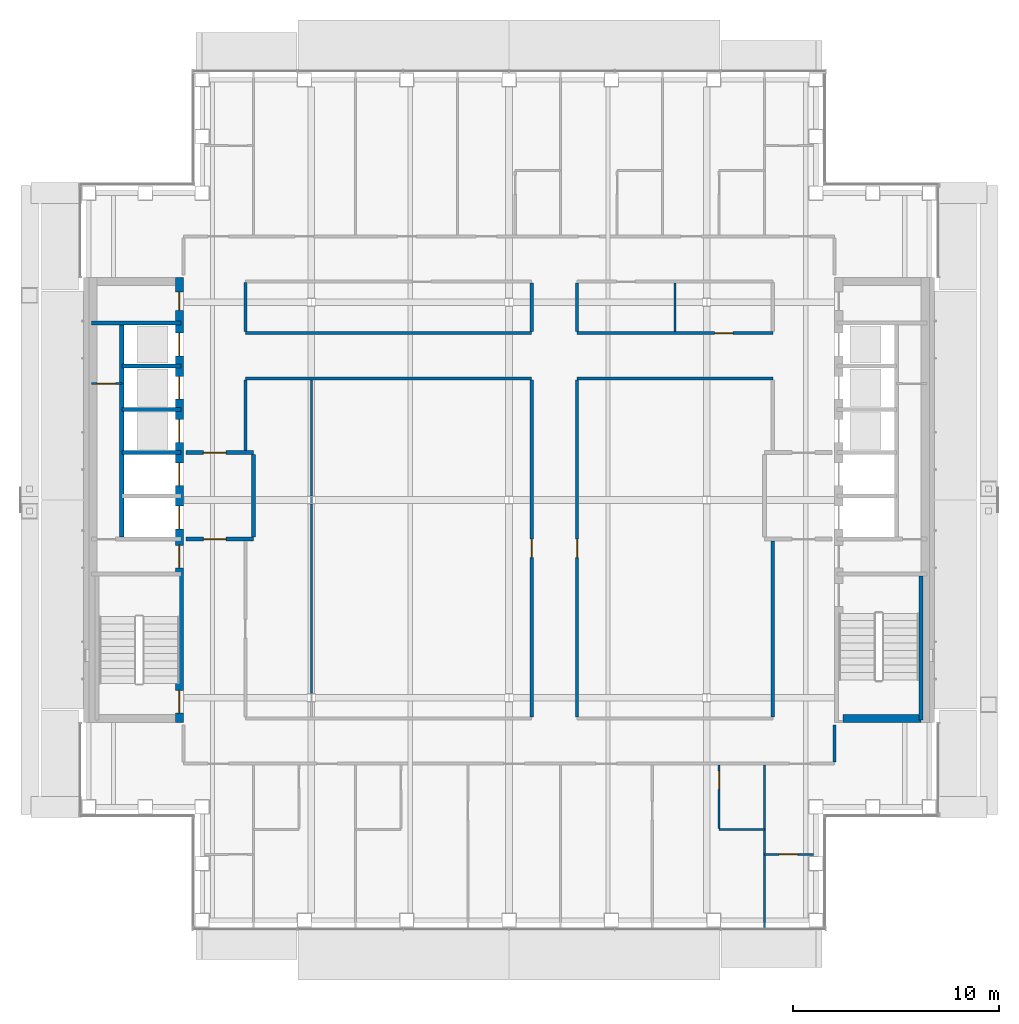
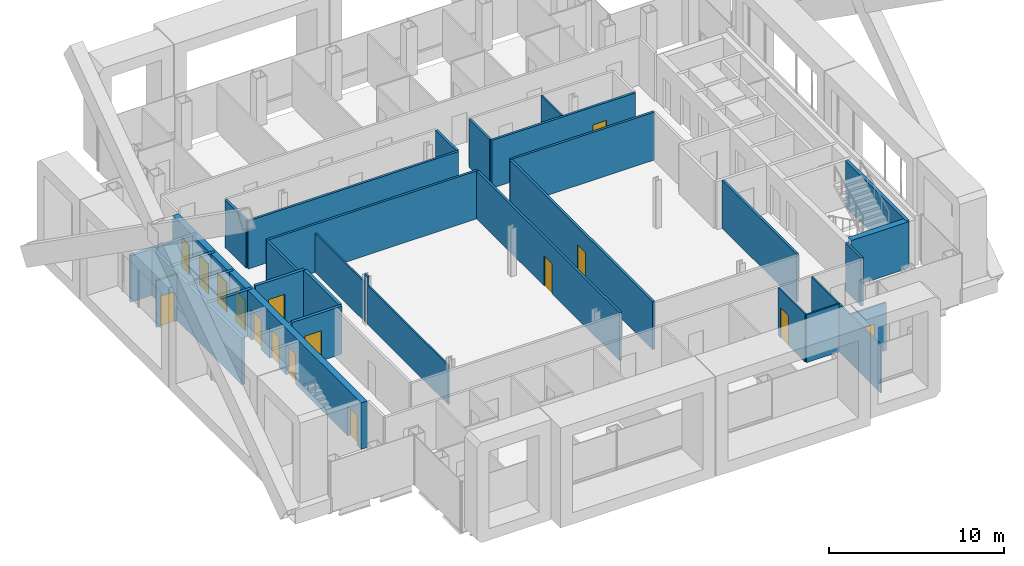
# One storey, part 12 of 21: 32 walls, 16 doors, 16 openings.
"""IFC4 building model written with IfcOpenShell, lengths in metres."""

from ifc_helpers import new_model, si_unit, direction, frame, frame_2d, origin, place, context, subcontext, project, spatial, rectangle, extrude, material, layer, layer_set, type_object, element, fill, save


model = new_model("IFC4")

# Units and contexts
model_context = context("Model", 3, precision=1e-05, world=origin(), true_north=direction((0.0, 1.0)))
body_context = subcontext(model_context, "Body", "Model", "MODEL_VIEW")
ifc_project = project(units=[si_unit("LENGTHUNIT", "METRE"), si_unit("AREAUNIT", "SQUARE_METRE"), si_unit("VOLUMEUNIT", "CUBIC_METRE"), si_unit("PLANEANGLEUNIT", "RADIAN"), si_unit("MASSUNIT", "GRAM", prefix="KILO")], contexts=[model_context])

# Site, building, storey
site_placement = place(None, origin())
site = spatial("IfcSite", under=ifc_project, at=site_placement, CompositionType="ELEMENT")
building_placement = place(site_placement, origin())
building = spatial("IfcBuilding", under=site, at=building_placement, Name="Cobrizo Arcos Hotel Tower", CompositionType="ELEMENT")
storey_placement = place(building_placement, frame((0.0, 0.0, 212.0)))
storey = spatial("IfcBuildingStorey", under=building, at=storey_placement, Name="L55", CompositionType="ELEMENT", Elevation=212.0)

# Walls
ifc_material_1 = material(Name="Gypsum board partition")
ifc_layer_1 = layer(ifc_material_1, 0.14990234375)
ifc_layer_set_1 = layer_set([ifc_layer_1], Name="Corridor wall EI 60 150")
wall_type_1 = type_object("IfcWallType", Name="Corridor wall EI 60 150", PredefinedType="PARTITIONING", material=ifc_layer_set_1)
wall_1_placement = place(storey_placement, frame((-12.800048828125, 5.89990234375, 0.0), z_axis=(0.0, 0.0, 1.0), x_axis=(1.0, 0.0, 0.0)))
element("IfcWall", 1, at=wall_1_placement, inside=storey, type_object=wall_type_1, Name="Partition 025", PredefinedType="PARTITIONING", context=body_context, shape_type="SweptSolid", body=[
    extrude(rectangle(XDim=13.900146484375, YDim=0.14990234375, at=frame_2d((6.9501953125, 0.0))), origin(), (0.0, 0.0, 1.0), 3.35009765625),
])
wall_2_placement = place(storey_placement, frame((3.300048828125, 5.89990234375, 0.0), z_axis=(0.0, 0.0, 1.0), x_axis=(1.0, 0.0, 0.0)))
element("IfcWall", 2, at=wall_2_placement, inside=storey, type_object=wall_type_1, Name="Partition 026", PredefinedType="PARTITIONING", context=body_context, shape_type="SweptSolid", body=[
    extrude(rectangle(XDim=9.5, YDim=0.14990234375, at=frame_2d((4.75, 0.0))), origin(), (0.0, 0.0, 1.0), 3.35009765625),
])
wall_3_placement = place(storey_placement, frame((-12.800048828125, 8.10009765625, 0.0), z_axis=(0.0, 0.0, 1.0), x_axis=(1.0, 0.0, 0.0)))
element("IfcWall", 3, at=wall_3_placement, inside=storey, type_object=wall_type_1, Name="Partition 029", PredefinedType="PARTITIONING", context=body_context, shape_type="SweptSolid", body=[
    extrude(rectangle(XDim=13.900146484375, YDim=0.14990234375, at=frame_2d((6.9501953125, 0.0))), origin(), (0.0, 0.0, 1.0), 3.35009765625),
])

# Wall, opening, door
wall_4_placement = place(storey_placement, frame((3.300048828125, 8.10009765625, 0.0), z_axis=(0.0, 0.0, 1.0), x_axis=(1.0, 0.0, 0.0)))
wall_4 = element("IfcWall", 4, at=wall_4_placement, inside=storey, type_object=wall_type_1, Name="Partition 030", PredefinedType="PARTITIONING", context=body_context, shape_type="SweptSolid", body=[
    extrude(rectangle(XDim=9.5, YDim=0.14990234375, at=frame_2d((4.75, 0.0))), origin(), (0.0, 0.0, 1.0), 3.35009765625),
])
opening_1_placement = place(wall_4_placement, frame((6.675048828125, 0.0, 0.0)))
opening_1 = element("IfcOpeningElement", 5, at=opening_1_placement, cuts=wall_4, Name="Opening ED-13", PredefinedType="OPENING", context=body_context, shape_type="SweptSolid", body=[
    extrude(rectangle(XDim=0.89990234375, YDim=2.10009765625, at=frame_2d((0.449951171875, 1.050048828125))), frame((0.0, 0.0869140625, 0.0), z_axis=(0.0, -1.0, 0.0), x_axis=(1.0, 0.0, 0.0)), (0.0, 0.0, 1.0), 0.173828125),
])
ifc_material_2 = material(Name="Timber door leaf", Category="wood")
door_type_1 = type_object("IfcDoorType", Name="En-suite door 900x2100", OperationType="SINGLE_SWING_LEFT", PredefinedType="DOOR", material=ifc_material_2)
door_1_placement = place(opening_1_placement, origin())
door_1 = element("IfcDoor", 6, at=door_1_placement, inside=storey, type_object=door_type_1, Name="Door ED-13", OperationType="SINGLE_SWING_LEFT", OverallHeight=2.10009765625, OverallWidth=0.89990234375, PredefinedType="DOOR", context=body_context, shape_type="SweptSolid", body=[
    extrude(rectangle(XDim=0.89990234375, YDim=2.10009765625, at=frame_2d((0.449951171875, 1.050048828125))), frame((0.0, 0.02490234375, 0.0), z_axis=(0.0, -1.0, 0.0), x_axis=(1.0, 0.0, 0.0)), (0.0, 0.0, 1.0), 0.050048828125),
])
fill(opening_1, door_1)

# Walls
wall_5_placement = place(storey_placement, frame((-12.800048828125, 2.39990234375, 0.0), z_axis=(0.0, 0.0, 1.0), x_axis=(0.0, 1.0, 0.0)))
element("IfcWall", 7, at=wall_5_placement, inside=storey, type_object=wall_type_1, Name="Partition 046", PredefinedType="PARTITIONING", context=body_context, shape_type="SweptSolid", body=[
    extrude(rectangle(XDim=3.425048828125, YDim=0.14990234375, at=frame_2d((1.71240234375, 0.0))), origin(), (0.0, 0.0, 1.0), 3.35009765625),
])
wall_6_placement = place(storey_placement, frame((-12.800048828125, 8.175048828125, 0.0), z_axis=(0.0, 0.0, 1.0), x_axis=(0.0, 1.0, 0.0)))
element("IfcWall", 8, at=wall_6_placement, inside=storey, type_object=wall_type_1, Name="Partition 047", PredefinedType="PARTITIONING", context=body_context, shape_type="SweptSolid", body=[
    extrude(rectangle(XDim=2.375, YDim=0.14990234375, at=frame_2d((1.1875, 0.0))), origin(), (0.0, 0.0, 1.0), 3.35009765625),
])

# Wall, opening, door
wall_7_placement = place(storey_placement, frame((1.10009765625, -10.52490234375, 0.0), z_axis=(0.0, 0.0, 1.0), x_axis=(0.0, 1.0, 0.0)))
wall_7 = element("IfcWall", 9, at=wall_7_placement, inside=storey, type_object=wall_type_1, Name="Partition 063", PredefinedType="PARTITIONING", context=body_context, shape_type="SweptSolid", body=[
    extrude(rectangle(XDim=16.349853515625, YDim=0.14990234375, at=frame_2d((8.1748046875, 0.0))), origin(), (0.0, 0.0, 1.0), 3.35009765625),
])
opening_2_placement = place(wall_7_placement, frame((7.72509765625, 0.0, 0.0)))
opening_2 = element("IfcOpeningElement", 10, at=opening_2_placement, cuts=wall_7, Name="Opening RD-13", PredefinedType="OPENING", context=body_context, shape_type="SweptSolid", body=[
    extrude(rectangle(XDim=0.89990234375, YDim=2.10009765625, at=frame_2d((0.449951171875, 1.050048828125))), frame((0.0, 0.0869140625, 0.0), z_axis=(0.0, -1.0, 0.0), x_axis=(1.0, 0.0, 0.0)), (0.0, 0.0, 1.0), 0.173828125),
])
door_type_2 = type_object("IfcDoorType", Name="Room door FD30 900x2100", OperationType="SINGLE_SWING_LEFT", PredefinedType="DOOR", material=ifc_material_2)
door_2_placement = place(opening_2_placement, origin())
door_2 = element("IfcDoor", 11, at=door_2_placement, inside=storey, type_object=door_type_2, Name="Door RD-13", OperationType="SINGLE_SWING_RIGHT", OverallHeight=2.10009765625, OverallWidth=0.89990234375, PredefinedType="DOOR", context=body_context, shape_type="SweptSolid", body=[
    extrude(rectangle(XDim=0.89990234375, YDim=2.10009765625, at=frame_2d((0.449951171875, 1.050048828125))), frame((0.0, 0.02490234375, 0.0), z_axis=(0.0, -1.0, 0.0), x_axis=(1.0, 0.0, 0.0)), (0.0, 0.0, 1.0), 0.050048828125),
])
fill(opening_2, door_2)

# Wall
wall_8_placement = place(storey_placement, frame((1.10009765625, 8.175048828125, 0.0), z_axis=(0.0, 0.0, 1.0), x_axis=(0.0, 1.0, 0.0)))
element("IfcWall", 12, at=wall_8_placement, inside=storey, type_object=wall_type_1, Name="Partition 064", PredefinedType="PARTITIONING", context=body_context, shape_type="SweptSolid", body=[
    extrude(rectangle(XDim=2.349853515625, YDim=0.14990234375, at=frame_2d((1.1748046875, 0.0))), origin(), (0.0, 0.0, 1.0), 3.35009765625),
])

# Wall, opening, door
wall_9_placement = place(storey_placement, frame((3.300048828125, -10.52490234375, 0.0), z_axis=(0.0, 0.0, 1.0), x_axis=(0.0, 1.0, 0.0)))
wall_9 = element("IfcWall", 13, at=wall_9_placement, inside=storey, type_object=wall_type_1, Name="Partition 067", PredefinedType="PARTITIONING", context=body_context, shape_type="SweptSolid", body=[
    extrude(rectangle(XDim=16.349853515625, YDim=0.14990234375, at=frame_2d((8.1748046875, 0.0))), origin(), (0.0, 0.0, 1.0), 3.35009765625),
])
opening_3_placement = place(wall_9_placement, frame((7.72509765625, 0.0, 0.0)))
opening_3 = element("IfcOpeningElement", 14, at=opening_3_placement, cuts=wall_9, Name="Opening RD-12", PredefinedType="OPENING", context=body_context, shape_type="SweptSolid", body=[
    extrude(rectangle(XDim=0.89990234375, YDim=2.10009765625, at=frame_2d((0.449951171875, 1.050048828125))), frame((0.0, 0.0869140625, 0.0), z_axis=(0.0, -1.0, 0.0), x_axis=(1.0, 0.0, 0.0)), (0.0, 0.0, 1.0), 0.173828125),
])
door_3_placement = place(opening_3_placement, origin())
door_3 = element("IfcDoor", 15, at=door_3_placement, inside=storey, type_object=door_type_2, Name="Door RD-12", OperationType="SINGLE_SWING_RIGHT", OverallHeight=2.10009765625, OverallWidth=0.89990234375, PredefinedType="DOOR", context=body_context, shape_type="SweptSolid", body=[
    extrude(rectangle(XDim=0.89990234375, YDim=2.10009765625, at=frame_2d((0.449951171875, 1.050048828125))), frame((0.0, 0.02490234375, 0.0), z_axis=(0.0, -1.0, 0.0), x_axis=(1.0, 0.0, 0.0)), (0.0, 0.0, 1.0), 0.050048828125),
])
fill(opening_3, door_3)

# Walls
wall_10_placement = place(storey_placement, frame((3.300048828125, 8.175048828125, 0.0), z_axis=(0.0, 0.0, 1.0), x_axis=(0.0, 1.0, 0.0)))
element("IfcWall", 16, at=wall_10_placement, inside=storey, type_object=wall_type_1, Name="Partition 068", PredefinedType="PARTITIONING", context=body_context, shape_type="SweptSolid", body=[
    extrude(rectangle(XDim=2.349853515625, YDim=0.14990234375, at=frame_2d((1.1748046875, 0.0))), origin(), (0.0, 0.0, 1.0), 3.35009765625),
])
wall_11_placement = place(storey_placement, frame((12.800048828125, -10.52490234375, 0.0), z_axis=(0.0, 0.0, 1.0), x_axis=(0.0, 1.0, 0.0)))
element("IfcWall", 17, at=wall_11_placement, inside=storey, type_object=wall_type_1, Name="Partition 078", PredefinedType="PARTITIONING", context=body_context, shape_type="SweptSolid", body=[
    extrude(rectangle(XDim=8.52490234375, YDim=0.14990234375, at=frame_2d((4.262451171875, 0.0))), origin(), (0.0, 0.0, 1.0), 3.35009765625),
])
wall_12_placement = place(storey_placement, frame((15.800048828125, -12.72509765625, 0.0), z_axis=(0.0, 0.0, 1.0), x_axis=(0.0, 1.0, 0.0)))
element("IfcWall", 18, at=wall_12_placement, inside=storey, type_object=wall_type_1, Name="Partition 081", PredefinedType="PARTITIONING", context=body_context, shape_type="SweptSolid", body=[
    extrude(rectangle(XDim=1.80517578125, YDim=0.14990234375, at=frame_2d((0.902587890625, 0.0))), origin(), (0.0, 0.0, 1.0), 3.35009765625),
])

# Wall, opening, door
ifc_layer_2 = layer(ifc_material_1, 0.10009765625)
ifc_layer_set_2 = layer_set([ifc_layer_2], Name="Partition EI 30 100")
wall_type_2 = type_object("IfcWallType", Name="Partition EI 30 100", PredefinedType="PARTITIONING", material=ifc_layer_set_2)
wall_13_placement = place(storey_placement, frame((12.39990234375, -17.199951171875, 0.0), z_axis=(0.0, 0.0, 1.0), x_axis=(1.0, 0.0, 0.0)))
wall_13 = element("IfcWall", 19, at=wall_13_placement, inside=storey, type_object=wall_type_2, Name="Partition 002", PredefinedType="PARTITIONING", context=body_context, shape_type="SweptSolid", body=[
    extrude(rectangle(XDim=2.380126953125, YDim=0.10009765625, at=frame_2d((1.18994140625, 0.0))), origin(), (0.0, 0.0, 1.0), 3.35009765625),
])
opening_4_placement = place(wall_13_placement, frame((0.705078125, 0.0, 0.0)))
opening_4 = element("IfcOpeningElement", 20, at=opening_4_placement, cuts=wall_13, Name="Opening ED-10", PredefinedType="OPENING", context=body_context, shape_type="SweptSolid", body=[
    extrude(rectangle(XDim=0.89990234375, YDim=2.10009765625, at=frame_2d((0.449951171875, 1.050048828125))), frame((0.0, 0.06201171875, 0.0), z_axis=(0.0, -1.0, 0.0), x_axis=(1.0, 0.0, 0.0)), (0.0, 0.0, 1.0), 0.1240234375),
])
door_4_placement = place(opening_4_placement, origin())
door_4 = element("IfcDoor", 21, at=door_4_placement, inside=storey, type_object=door_type_1, Name="Door ED-10", OperationType="SINGLE_SWING_LEFT", OverallHeight=2.10009765625, OverallWidth=0.89990234375, PredefinedType="DOOR", context=body_context, shape_type="SweptSolid", body=[
    extrude(rectangle(XDim=0.89990234375, YDim=2.10009765625, at=frame_2d((0.449951171875, 1.050048828125))), frame((0.0, 0.02490234375, 0.0), z_axis=(0.0, -1.0, 0.0), x_axis=(1.0, 0.0, 0.0)), (0.0, 0.0, 1.0), 0.050048828125),
])
fill(opening_4, door_4)

# Wall
wall_14_placement = place(storey_placement, frame((10.199951171875, -16.0, 0.0), z_axis=(0.0, 0.0, 1.0), x_axis=(1.0, 0.0, 0.0)))
element("IfcWall", 22, at=wall_14_placement, inside=storey, type_object=wall_type_2, Name="Partition 005", PredefinedType="PARTITIONING", context=body_context, shape_type="SweptSolid", body=[
    extrude(rectangle(XDim=2.199951171875, YDim=0.10009765625, at=frame_2d((1.10009765625, 0.0))), origin(), (0.0, 0.0, 1.0), 3.35009765625),
])

# Wall, opening, door
wall_15_placement = place(storey_placement, frame((-20.280029296875, 5.64990234375, 0.0), z_axis=(0.0, 0.0, 1.0), x_axis=(1.0, 0.0, 0.0)))
wall_15 = element("IfcWall", 23, at=wall_15_placement, inside=storey, type_object=wall_type_2, Name="Partition 023", PredefinedType="PARTITIONING", context=body_context, shape_type="SweptSolid", body=[
    extrude(rectangle(XDim=1.47998046875, YDim=0.10009765625, at=frame_2d((0.739990234375, 0.0))), origin(), (0.0, 0.0, 1.0), 3.25),
])
opening_5_placement = place(wall_15_placement, frame((0.280029296875, 0.0, 0.0)))
opening_5 = element("IfcOpeningElement", 24, at=opening_5_placement, cuts=wall_15, Name="Opening RD-03", PredefinedType="OPENING", context=body_context, shape_type="SweptSolid", body=[
    extrude(rectangle(XDim=0.89990234375, YDim=2.10009765625, at=frame_2d((0.449951171875, 1.050048828125))), frame((0.0, 0.06201171875, 0.0), z_axis=(0.0, -1.0, 0.0), x_axis=(1.0, 0.0, 0.0)), (0.0, 0.0, 1.0), 0.1240234375),
])
door_5_placement = place(opening_5_placement, origin())
door_5 = element("IfcDoor", 25, at=door_5_placement, inside=storey, type_object=door_type_2, Name="Door RD-03", OperationType="SINGLE_SWING_LEFT", OverallHeight=2.10009765625, OverallWidth=0.89990234375, PredefinedType="DOOR", context=body_context, shape_type="SweptSolid", body=[
    extrude(rectangle(XDim=0.89990234375, YDim=2.10009765625, at=frame_2d((0.449951171875, 1.050048828125))), frame((0.0, 0.02490234375, 0.0), z_axis=(0.0, -1.0, 0.0), x_axis=(1.0, 0.0, 0.0)), (0.0, 0.0, 1.0), 0.050048828125),
])
fill(opening_5, door_5)

# Walls
wall_16_placement = place(storey_placement, frame((-9.60009765625, -9.4130859375, 0.0), z_axis=(0.0, 0.0, 1.0), x_axis=(0.0, 1.0, 0.0)))
element("IfcWall", 26, at=wall_16_placement, inside=storey, type_object=wall_type_2, Name="Partition 054", PredefinedType="PARTITIONING", context=body_context, shape_type="SweptSolid", body=[
    extrude(rectangle(XDim=9.22607421875, YDim=0.10009765625, at=frame_2d((4.613037109375, 0.0))), origin(), (0.0, 0.0, 1.0), 2.72802734375),
])
wall_17_placement = place(storey_placement, frame((-9.60009765625, -0.18701171875, 0.0), z_axis=(0.0, 0.0, 1.0), x_axis=(0.0, 1.0, 0.0)))
element("IfcWall", 27, at=wall_17_placement, inside=storey, type_object=wall_type_2, Name="Partition 055", PredefinedType="PARTITIONING", context=body_context, shape_type="SweptSolid", body=[
    extrude(rectangle(XDim=0.3740234375, YDim=0.10009765625, at=frame_2d((0.18701171875, 0.0))), origin(), (0.0, 0.0, 1.0), 3.35009765625),
])
wall_18_placement = place(storey_placement, frame((-9.60009765625, 0.18701171875, 0.0), z_axis=(0.0, 0.0, 1.0), x_axis=(0.0, 1.0, 0.0)))
element("IfcWall", 28, at=wall_18_placement, inside=storey, type_object=wall_type_2, Name="Partition 056", PredefinedType="PARTITIONING", context=body_context, shape_type="SweptSolid", body=[
    extrude(rectangle(XDim=5.637939453125, YDim=0.10009765625, at=frame_2d((2.81884765625, 0.0))), origin(), (0.0, 0.0, 1.0), 2.72802734375),
])
wall_19_placement = place(storey_placement, frame((8.050048828125, 8.175048828125, 0.0), z_axis=(0.0, 0.0, 1.0), x_axis=(0.0, 1.0, 0.0)))
element("IfcWall", 29, at=wall_19_placement, inside=storey, type_object=wall_type_2, Name="Partition 072", PredefinedType="PARTITIONING", context=body_context, shape_type="SweptSolid", body=[
    extrude(rectangle(XDim=2.349853515625, YDim=0.10009765625, at=frame_2d((1.1748046875, 0.0))), origin(), (0.0, 0.0, 1.0), 3.35009765625),
])

# Wall, opening, door
wall_20_placement = place(storey_placement, frame((10.199951171875, -15.949951171875, 0.0), z_axis=(0.0, 0.0, 1.0), x_axis=(0.0, 1.0, 0.0)))
wall_20 = element("IfcWall", 30, at=wall_20_placement, inside=storey, type_object=wall_type_2, Name="Partition 073", PredefinedType="PARTITIONING", context=body_context, shape_type="SweptSolid", body=[
    extrude(rectangle(XDim=3.074951171875, YDim=0.10009765625, at=frame_2d((1.53759765625, 0.0))), origin(), (0.0, 0.0, 1.0), 3.35009765625),
])
opening_6_placement = place(wall_20_placement, frame((1.89990234375, 0.0, 0.0)))
opening_6 = element("IfcOpeningElement", 31, at=opening_6_placement, cuts=wall_20, Name="Opening ED-07", PredefinedType="OPENING", context=body_context, shape_type="SweptSolid", body=[
    extrude(rectangle(XDim=0.89990234375, YDim=2.10009765625, at=frame_2d((0.449951171875, 1.050048828125))), frame((0.0, 0.06201171875, 0.0), z_axis=(0.0, -1.0, 0.0), x_axis=(1.0, 0.0, 0.0)), (0.0, 0.0, 1.0), 0.1240234375),
])
door_6_placement = place(opening_6_placement, origin())
door_6 = element("IfcDoor", 32, at=door_6_placement, inside=storey, type_object=door_type_1, Name="Door ED-07", OperationType="SINGLE_SWING_RIGHT", OverallHeight=2.10009765625, OverallWidth=0.89990234375, PredefinedType="DOOR", context=body_context, shape_type="SweptSolid", body=[
    extrude(rectangle(XDim=0.89990234375, YDim=2.10009765625, at=frame_2d((0.449951171875, 1.050048828125))), frame((0.0, 0.02490234375, 0.0), z_axis=(0.0, -1.0, 0.0), x_axis=(1.0, 0.0, 0.0)), (0.0, 0.0, 1.0), 0.050048828125),
])
fill(opening_6, door_6)

# Walls
wall_21_placement = place(storey_placement, frame((12.39990234375, -20.780029296875, 0.0), z_axis=(0.0, 0.0, 1.0), x_axis=(0.0, 1.0, 0.0)))
element("IfcWall", 33, at=wall_21_placement, inside=storey, type_object=wall_type_2, Name="Partition 075", PredefinedType="PARTITIONING", context=body_context, shape_type="SweptSolid", body=[
    extrude(rectangle(XDim=7.905029296875, YDim=0.10009765625, at=frame_2d((3.95263671875, 0.0))), origin(), (0.0, 0.0, 1.0), 3.35009765625),
])
ifc_material_3 = material(Name="Concrete f'c 40 MPa", Category="concrete")
ifc_layer_3 = layer(ifc_material_3, 0.39990234375)
ifc_layer_set_3 = layer_set([ifc_layer_3], Name="RC core wall 400 f'c 40")
wall_type_3 = type_object("IfcWallType", Name="RC core wall 400 f'c 40", PredefinedType="SHEAR", material=ifc_layer_set_3)
wall_22_placement = place(storey_placement, frame((16.199951171875, -10.60009765625, 0.0), z_axis=(0.0, 0.0, 1.0), x_axis=(1.0, 0.0, 0.0)))
element("IfcWall", 34, at=wall_22_placement, inside=storey, type_object=wall_type_3, Name="Core wall CW4, east core, south end, L55", PredefinedType="SHEAR", context=body_context, shape_type="SweptSolid", body=[
    extrude(rectangle(XDim=3.800048828125, YDim=0.39990234375, at=frame_2d((1.89990234375, 0.0))), origin(), (0.0, 0.0, 1.0), 3.25),
])

# Wall, openings, doors
wall_23_placement = place(storey_placement, frame((-16.0, -10.800048828125, 0.0), z_axis=(0.0, 0.0, 1.0), x_axis=(0.0, 1.0, 0.0)))
wall_23 = element("IfcWall", 35, at=wall_23_placement, inside=storey, type_object=wall_type_3, Name="Core wall CW4, west core, inner face, L55", PredefinedType="SHEAR", context=body_context, shape_type="SweptSolid", body=[
    extrude(rectangle(XDim=21.60009765625, YDim=0.39990234375, at=frame_2d((10.800048828125, 0.0))), origin(), (0.0, 0.0, 1.0), 3.25),
])
opening_7_placement = place(wall_23_placement, frame((9.39990234375, 0.0, 0.0)))
opening_7 = element("IfcOpeningElement", 36, at=opening_7_placement, cuts=wall_23, Name="Opening LD-01", PredefinedType="OPENING", context=body_context, shape_type="SweptSolid", body=[
    extrude(rectangle(XDim=1.10009765625, YDim=2.10009765625, at=frame_2d((0.550048828125, 1.050048828125))), frame((0.0, 0.2119140625, 0.0), z_axis=(0.0, -1.0, 0.0), x_axis=(1.0, 0.0, 0.0)), (0.0, 0.0, 1.0), 0.423828125),
])
opening_8_placement = place(wall_23_placement, frame((11.5, 0.0, 0.0)))
opening_8 = element("IfcOpeningElement", 37, at=opening_8_placement, cuts=wall_23, Name="Opening LD-02", PredefinedType="OPENING", context=body_context, shape_type="SweptSolid", body=[
    extrude(rectangle(XDim=1.10009765625, YDim=2.10009765625, at=frame_2d((0.550048828125, 1.050048828125))), frame((0.0, 0.2119140625, 0.0), z_axis=(0.0, -1.0, 0.0), x_axis=(1.0, 0.0, 0.0)), (0.0, 0.0, 1.0), 0.423828125),
])
opening_9_placement = place(wall_23_placement, frame((13.60009765625, 0.0, 0.0)))
opening_9 = element("IfcOpeningElement", 38, at=opening_9_placement, cuts=wall_23, Name="Opening LD-03", PredefinedType="OPENING", context=body_context, shape_type="SweptSolid", body=[
    extrude(rectangle(XDim=1.10009765625, YDim=2.10009765625, at=frame_2d((0.550048828125, 1.050048828125))), frame((0.0, 0.2119140625, 0.0), z_axis=(0.0, -1.0, 0.0), x_axis=(1.0, 0.0, 0.0)), (0.0, 0.0, 1.0), 0.423828125),
])
opening_10_placement = place(wall_23_placement, frame((15.699951171875, 0.0, 0.0)))
opening_10 = element("IfcOpeningElement", 39, at=opening_10_placement, cuts=wall_23, Name="Opening LD-04", PredefinedType="OPENING", context=body_context, shape_type="SweptSolid", body=[
    extrude(rectangle(XDim=1.10009765625, YDim=2.10009765625, at=frame_2d((0.550048828125, 1.050048828125))), frame((0.0, 0.2119140625, 0.0), z_axis=(0.0, -1.0, 0.0), x_axis=(1.0, 0.0, 0.0)), (0.0, 0.0, 1.0), 0.423828125),
])
opening_11_placement = place(wall_23_placement, frame((17.800048828125, 0.0, 0.0)))
opening_11 = element("IfcOpeningElement", 40, at=opening_11_placement, cuts=wall_23, Name="Opening LD-05", PredefinedType="OPENING", context=body_context, shape_type="SweptSolid", body=[
    extrude(rectangle(XDim=1.10009765625, YDim=2.10009765625, at=frame_2d((0.550048828125, 1.050048828125))), frame((0.0, 0.2119140625, 0.0), z_axis=(0.0, -1.0, 0.0), x_axis=(1.0, 0.0, 0.0)), (0.0, 0.0, 1.0), 0.423828125),
])
opening_12_placement = place(wall_23_placement, frame((0.4580078125, 0.0, 0.0)))
opening_12 = element("IfcOpeningElement", 41, at=opening_12_placement, cuts=wall_23, Name="Opening SD-01", PredefinedType="OPENING", context=body_context, shape_type="SweptSolid", body=[
    extrude(rectangle(XDim=1.10009765625, YDim=2.10009765625, at=frame_2d((0.550048828125, 1.050048828125))), frame((0.0, 0.2119140625, 0.0), z_axis=(0.0, -1.0, 0.0), x_axis=(1.0, 0.0, 0.0)), (0.0, 0.0, 1.0), 0.423828125),
])
opening_13_placement = place(wall_23_placement, frame((7.5, 0.0, 0.0)))
opening_13 = element("IfcOpeningElement", 42, at=opening_13_placement, cuts=wall_23, Name="Opening FD-01", PredefinedType="OPENING", context=body_context, shape_type="SweptSolid", body=[
    extrude(rectangle(XDim=1.10009765625, YDim=2.10009765625, at=frame_2d((0.550048828125, 1.050048828125))), frame((0.0, 0.2119140625, 0.0), z_axis=(0.0, -1.0, 0.0), x_axis=(1.0, 0.0, 0.0)), (0.0, 0.0, 1.0), 0.423828125),
])
opening_14_placement = place(wall_23_placement, frame((20.0, 0.0, 0.0)))
opening_14 = element("IfcOpeningElement", 43, at=opening_14_placement, cuts=wall_23, Name="Opening RD-01", PredefinedType="OPENING", context=body_context, shape_type="SweptSolid", body=[
    extrude(rectangle(XDim=0.89990234375, YDim=2.10009765625, at=frame_2d((0.449951171875, 1.050048828125))), frame((0.0, 0.2119140625, 0.0), z_axis=(0.0, -1.0, 0.0), x_axis=(1.0, 0.0, 0.0)), (0.0, 0.0, 1.0), 0.423828125),
])
ifc_material_4 = material(Name="Steel door leaf", Category="steel")
door_type_3 = type_object("IfcDoorType", Name="Fire door FD60 1100x2100", OperationType="SINGLE_SWING_LEFT", PredefinedType="DOOR", material=ifc_material_4)
door_7_placement = place(opening_13_placement, origin())
door_7 = element("IfcDoor", 44, at=door_7_placement, inside=storey, type_object=door_type_3, Name="Door FD-01", OperationType="SINGLE_SWING_RIGHT", OverallHeight=2.10009765625, OverallWidth=1.10009765625, PredefinedType="DOOR", context=body_context, shape_type="SweptSolid", body=[
    extrude(rectangle(XDim=1.10009765625, YDim=2.10009765625, at=frame_2d((0.550048828125, 1.050048828125))), frame((0.0, 0.02490234375, 0.0), z_axis=(0.0, -1.0, 0.0), x_axis=(1.0, 0.0, 0.0)), (0.0, 0.0, 1.0), 0.050048828125),
])
fill(opening_13, door_7)
door_type_4 = type_object("IfcDoorType", Name="Lift landing door 1100x2100", OperationType="SLIDING_TO_LEFT", PredefinedType="DOOR", material=ifc_material_4)
door_8_placement = place(opening_7_placement, origin())
door_8 = element("IfcDoor", 45, at=door_8_placement, inside=storey, type_object=door_type_4, Name="Lift landing door LD-01", OperationType="SLIDING_TO_LEFT", OverallHeight=2.10009765625, OverallWidth=1.10009765625, PredefinedType="DOOR", context=body_context, shape_type="SweptSolid", body=[
    extrude(rectangle(XDim=1.10009765625, YDim=2.10009765625, at=frame_2d((0.550048828125, 1.050048828125))), frame((0.0, 0.02490234375, 0.0), z_axis=(0.0, -1.0, 0.0), x_axis=(1.0, 0.0, 0.0)), (0.0, 0.0, 1.0), 0.050048828125),
])
fill(opening_7, door_8)
door_9_placement = place(opening_8_placement, origin())
door_9 = element("IfcDoor", 46, at=door_9_placement, inside=storey, type_object=door_type_4, Name="Lift landing door LD-02", OperationType="SLIDING_TO_LEFT", OverallHeight=2.10009765625, OverallWidth=1.10009765625, PredefinedType="DOOR", context=body_context, shape_type="SweptSolid", body=[
    extrude(rectangle(XDim=1.10009765625, YDim=2.10009765625, at=frame_2d((0.550048828125, 1.050048828125))), frame((0.0, 0.02490234375, 0.0), z_axis=(0.0, -1.0, 0.0), x_axis=(1.0, 0.0, 0.0)), (0.0, 0.0, 1.0), 0.050048828125),
])
fill(opening_8, door_9)
door_10_placement = place(opening_9_placement, origin())
door_10 = element("IfcDoor", 47, at=door_10_placement, inside=storey, type_object=door_type_4, Name="Lift landing door LD-03", OperationType="SLIDING_TO_LEFT", OverallHeight=2.10009765625, OverallWidth=1.10009765625, PredefinedType="DOOR", context=body_context, shape_type="SweptSolid", body=[
    extrude(rectangle(XDim=1.10009765625, YDim=2.10009765625, at=frame_2d((0.550048828125, 1.050048828125))), frame((0.0, 0.02490234375, 0.0), z_axis=(0.0, -1.0, 0.0), x_axis=(1.0, 0.0, 0.0)), (0.0, 0.0, 1.0), 0.050048828125),
])
fill(opening_9, door_10)
door_11_placement = place(opening_10_placement, origin())
door_11 = element("IfcDoor", 48, at=door_11_placement, inside=storey, type_object=door_type_4, Name="Lift landing door LD-04", OperationType="SLIDING_TO_LEFT", OverallHeight=2.10009765625, OverallWidth=1.10009765625, PredefinedType="DOOR", context=body_context, shape_type="SweptSolid", body=[
    extrude(rectangle(XDim=1.10009765625, YDim=2.10009765625, at=frame_2d((0.550048828125, 1.050048828125))), frame((0.0, 0.02490234375, 0.0), z_axis=(0.0, -1.0, 0.0), x_axis=(1.0, 0.0, 0.0)), (0.0, 0.0, 1.0), 0.050048828125),
])
fill(opening_10, door_11)
door_12_placement = place(opening_11_placement, origin())
door_12 = element("IfcDoor", 49, at=door_12_placement, inside=storey, type_object=door_type_4, Name="Lift landing door LD-05", OperationType="SLIDING_TO_LEFT", OverallHeight=2.10009765625, OverallWidth=1.10009765625, PredefinedType="DOOR", context=body_context, shape_type="SweptSolid", body=[
    extrude(rectangle(XDim=1.10009765625, YDim=2.10009765625, at=frame_2d((0.550048828125, 1.050048828125))), frame((0.0, 0.02490234375, 0.0), z_axis=(0.0, -1.0, 0.0), x_axis=(1.0, 0.0, 0.0)), (0.0, 0.0, 1.0), 0.050048828125),
])
fill(opening_11, door_12)
door_13_placement = place(opening_14_placement, origin())
door_13 = element("IfcDoor", 50, at=door_13_placement, inside=storey, type_object=door_type_2, Name="Door RD-01", OperationType="SINGLE_SWING_LEFT", OverallHeight=2.10009765625, OverallWidth=0.89990234375, PredefinedType="DOOR", context=body_context, shape_type="SweptSolid", body=[
    extrude(rectangle(XDim=0.89990234375, YDim=2.10009765625, at=frame_2d((0.449951171875, 1.050048828125))), frame((0.0, 0.02490234375, 0.0), z_axis=(0.0, -1.0, 0.0), x_axis=(1.0, 0.0, 0.0)), (0.0, 0.0, 1.0), 0.050048828125),
])
fill(opening_14, door_13)
door_type_5 = type_object("IfcDoorType", Name="Stair door FD60S 1100x2100", OperationType="SINGLE_SWING_LEFT", PredefinedType="DOOR", material=ifc_material_4)
door_14_placement = place(opening_12_placement, origin())
door_14 = element("IfcDoor", 51, at=door_14_placement, inside=storey, type_object=door_type_5, Name="Door SD-01", OperationType="SINGLE_SWING_RIGHT", OverallHeight=2.10009765625, OverallWidth=1.10009765625, PredefinedType="DOOR", context=body_context, shape_type="SweptSolid", body=[
    extrude(rectangle(XDim=1.10009765625, YDim=2.10009765625, at=frame_2d((0.550048828125, 1.050048828125))), frame((0.0, 0.02490234375, 0.0), z_axis=(0.0, -1.0, 0.0), x_axis=(1.0, 0.0, 0.0)), (0.0, 0.0, 1.0), 0.050048828125),
])
fill(opening_12, door_14)

# Wall, opening, door
ifc_layer_4 = layer(ifc_material_1, 0.199951171875)
ifc_layer_set_4 = layer_set([ifc_layer_4], Name="Shaft wall EI 120 200")
wall_type_4 = type_object("IfcWallType", Name="Shaft wall EI 120 200", PredefinedType="PARTITIONING", material=ifc_layer_set_4)
wall_24_placement = place(storey_placement, frame((-15.679931640625, -1.89990234375, 0.0), z_axis=(0.0, 0.0, 1.0), x_axis=(1.0, 0.0, 0.0)))
wall_24 = element("IfcWall", 52, at=wall_24_placement, inside=storey, type_object=wall_type_4, Name="Partition 012", PredefinedType="PARTITIONING", context=body_context, shape_type="SweptSolid", body=[
    extrude(rectangle(XDim=3.280029296875, YDim=0.199951171875, at=frame_2d((1.64013671875, 0.0))), origin(), (0.0, 0.0, 1.0), 3.35009765625),
])
opening_15_placement = place(wall_24_placement, frame((0.840087890625, 0.0, 0.0)))
opening_15 = element("IfcOpeningElement", 53, at=opening_15_placement, cuts=wall_24, Name="Opening FD-03", PredefinedType="OPENING", context=body_context, shape_type="SweptSolid", body=[
    extrude(rectangle(XDim=1.10009765625, YDim=2.10009765625, at=frame_2d((0.550048828125, 1.050048828125))), frame((0.0, 0.112060546875, 0.0), z_axis=(0.0, -1.0, 0.0), x_axis=(1.0, 0.0, 0.0)), (0.0, 0.0, 1.0), 0.223876953125),
])
door_15_placement = place(opening_15_placement, origin())
door_15 = element("IfcDoor", 54, at=door_15_placement, inside=storey, type_object=door_type_3, Name="Door FD-03", OperationType="SINGLE_SWING_RIGHT", OverallHeight=2.10009765625, OverallWidth=1.10009765625, PredefinedType="DOOR", context=body_context, shape_type="SweptSolid", body=[
    extrude(rectangle(XDim=1.10009765625, YDim=2.10009765625, at=frame_2d((0.550048828125, 1.050048828125))), frame((0.0, 0.02490234375, 0.0), z_axis=(0.0, -1.0, 0.0), x_axis=(1.0, 0.0, 0.0)), (0.0, 0.0, 1.0), 0.050048828125),
])
fill(opening_15, door_15)

# Wall
wall_25_placement = place(storey_placement, frame((-18.800048828125, 2.300048828125, 0.0), z_axis=(0.0, 0.0, 1.0), x_axis=(1.0, 0.0, 0.0)))
element("IfcWall", 55, at=wall_25_placement, inside=storey, type_object=wall_type_4, Name="Partition 017", PredefinedType="PARTITIONING", context=body_context, shape_type="SweptSolid", body=[
    extrude(rectangle(XDim=2.880126953125, YDim=0.199951171875, at=frame_2d((1.43994140625, 0.0))), origin(), (0.0, 0.0, 1.0), 3.25),
])

# Wall, opening, door
wall_26_placement = place(storey_placement, frame((-15.679931640625, 2.300048828125, 0.0), z_axis=(0.0, 0.0, 1.0), x_axis=(1.0, 0.0, 0.0)))
wall_26 = element("IfcWall", 56, at=wall_26_placement, inside=storey, type_object=wall_type_4, Name="Partition 018", PredefinedType="PARTITIONING", context=body_context, shape_type="SweptSolid", body=[
    extrude(rectangle(XDim=3.280029296875, YDim=0.199951171875, at=frame_2d((1.64013671875, 0.0))), origin(), (0.0, 0.0, 1.0), 3.35009765625),
])
opening_16_placement = place(wall_26_placement, frame((0.840087890625, 0.0, 0.0)))
opening_16 = element("IfcOpeningElement", 57, at=opening_16_placement, cuts=wall_26, Name="Opening FD-02", PredefinedType="OPENING", context=body_context, shape_type="SweptSolid", body=[
    extrude(rectangle(XDim=1.10009765625, YDim=2.10009765625, at=frame_2d((0.550048828125, 1.050048828125))), frame((0.0, 0.112060546875, 0.0), z_axis=(0.0, -1.0, 0.0), x_axis=(1.0, 0.0, 0.0)), (0.0, 0.0, 1.0), 0.223876953125),
])
door_16_placement = place(opening_16_placement, origin())
door_16 = element("IfcDoor", 58, at=door_16_placement, inside=storey, type_object=door_type_3, Name="Door FD-02", OperationType="SINGLE_SWING_LEFT", OverallHeight=2.10009765625, OverallWidth=1.10009765625, PredefinedType="DOOR", context=body_context, shape_type="SweptSolid", body=[
    extrude(rectangle(XDim=1.10009765625, YDim=2.10009765625, at=frame_2d((0.550048828125, 1.050048828125))), frame((0.0, 0.02490234375, 0.0), z_axis=(0.0, -1.0, 0.0), x_axis=(1.0, 0.0, 0.0)), (0.0, 0.0, 1.0), 0.050048828125),
])
fill(opening_16, door_16)

# Walls
for number, where, z_axis, x_axis, name in (
    (59, (-18.800048828125, 4.39990234375, 0.0), (0.0, 0.0, 1.0), (1.0, 0.0, 0.0), "Partition 021"),
    (60, (-18.800048828125, 6.5, 0.0), (0.0, 0.0, 1.0), (1.0, 0.0, 0.0), "Partition 027"),
):
    element("IfcWall", number, at=place(storey_placement, frame(where, z_axis=z_axis, x_axis=x_axis)), inside=storey, type_object=wall_type_4, Name=name, PredefinedType="PARTITIONING", context=body_context, shape_type="SweptSolid", body=[
        extrude(rectangle(XDim=2.880126953125, YDim=0.199951171875, at=frame_2d((1.43994140625, 0.0))), origin(), (0.0, 0.0, 1.0), 3.25),
    ])
wall_27_placement = place(storey_placement, frame((-20.280029296875, 8.60009765625, 0.0), z_axis=(0.0, 0.0, 1.0), x_axis=(1.0, 0.0, 0.0)))
element("IfcWall", 61, at=wall_27_placement, inside=storey, type_object=wall_type_4, Name="Partition 031", PredefinedType="PARTITIONING", context=body_context, shape_type="SweptSolid", body=[
    extrude(rectangle(XDim=4.360107421875, YDim=0.199951171875, at=frame_2d((2.18017578125, 0.0))), origin(), (0.0, 0.0, 1.0), 3.25),
])
wall_28_placement = place(storey_placement, frame((-18.800048828125, -1.800048828125, 0.0), z_axis=(0.0, 0.0, 1.0), x_axis=(0.0, 1.0, 0.0)))
element("IfcWall", 62, at=wall_28_placement, inside=storey, type_object=wall_type_4, Name="Partition 042", PredefinedType="PARTITIONING", context=body_context, shape_type="SweptSolid", body=[
    extrude(rectangle(XDim=10.300048828125, YDim=0.199951171875, at=frame_2d((5.14990234375, 0.0))), origin(), (0.0, 0.0, 1.0), 3.25),
])
wall_29_placement = place(storey_placement, frame((-12.39990234375, -1.800048828125, 0.0), z_axis=(0.0, 0.0, 1.0), x_axis=(0.0, 1.0, 0.0)))
element("IfcWall", 63, at=wall_29_placement, inside=storey, type_object=wall_type_4, Name="Partition 049", PredefinedType="PARTITIONING", context=body_context, shape_type="SweptSolid", body=[
    extrude(rectangle(XDim=4.0, YDim=0.199951171875, at=frame_2d((2.0, 0.0))), origin(), (0.0, 0.0, 1.0), 3.35009765625),
])
ifc_layer_5 = layer(ifc_material_3, 0.199951171875)
ifc_layer_set_5 = layer_set([ifc_layer_5], Name="Stair shaft wall 200")
wall_type_5 = type_object("IfcWallType", Name="Stair shaft wall 200", PredefinedType="SHEAR", material=ifc_layer_set_5)
wall_30_placement = place(storey_placement, frame((20.0, -10.679931640625, 0.0), z_axis=(0.0, 0.0, 1.0), x_axis=(0.0, 1.0, 0.0)))
element("IfcWall", 64, at=wall_30_placement, inside=storey, type_object=wall_type_5, Name="Stair shaft wall E", PredefinedType="SHEAR", context=body_context, shape_type="SweptSolid", body=[
    extrude(rectangle(XDim=6.97998046875, YDim=0.199951171875, at=frame_2d((3.489990234375, 0.0))), origin(), (0.0, 0.0, 1.0), 3.25),
])

save(model, "model.ifc")
